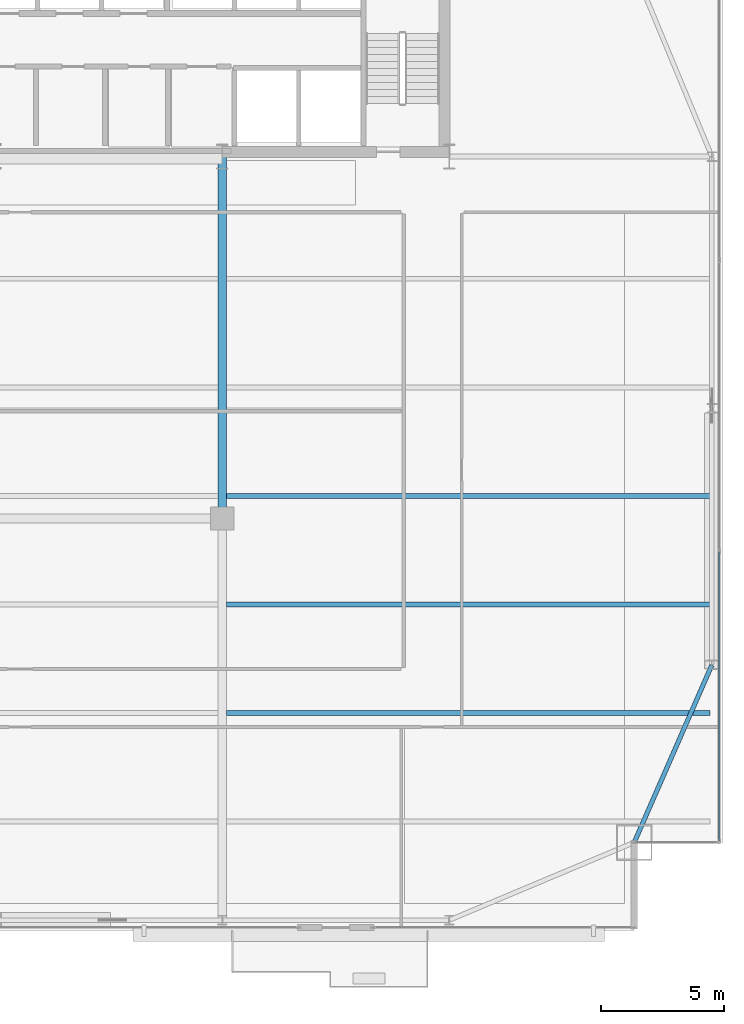
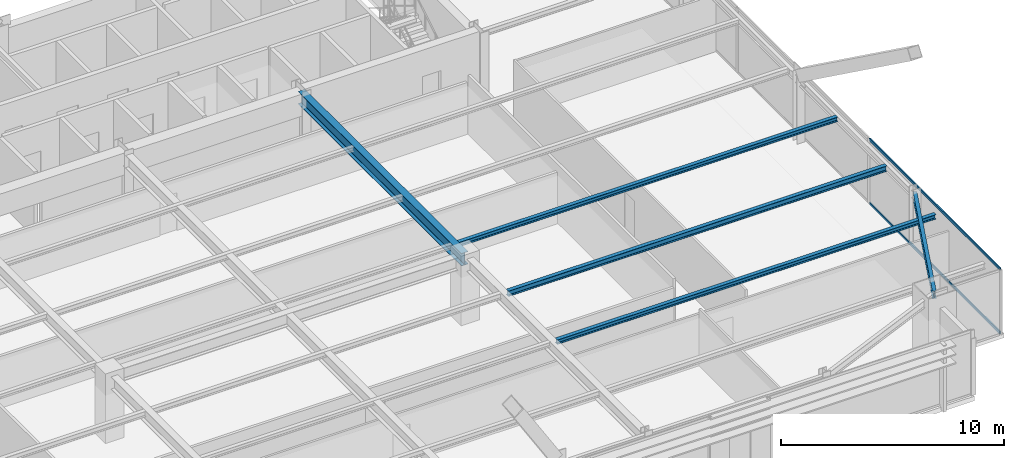
# One storey, part 17 of 37: 5 beams, 2 members, 1 element without a shape of its own.
"""IFC4 building model written with IfcOpenShell, lengths in metres."""

import ifcopenshell
import ifcopenshell.guid

model = None  # the IFC model being written
_history = None  # IfcOwnerHistory: only IFC2X3 demands one
_inside = {}  # id of a spatial element -> (the spatial element, [elements in it])
_under = {}  # id of a project, library or spatial element -> (it, [spatial elements below it])
_declared = {}  # id of a project -> (the project, [libraries it declares])
_typed = {}  # id of a type object -> (the type object, [elements of that type])
_made_of = {}  # id of a material, layer set ... -> (it, [elements and type objects made of it])


def new_model(schema):
    """Start an empty IFC model of exactly this schema.

    Asked for "IFC4X3", IfcOpenShell would pick the latest addendum, in which some entities
    have other attributes; the version numbers below select the first issue.
    IFC2X3 requires an IfcOwnerHistory on every rooted entity: one is made here for all.
    """
    global model, _history
    if schema == "IFC4X3":
        model = ifcopenshell.file(schema_version=(4, 3, 0, 0))
    else:
        model = ifcopenshell.file(schema=schema)
    _inside.clear()
    _under.clear()
    _declared.clear()
    _typed.clear()
    _made_of.clear()
    _history = None
    if model.schema == "IFC2X3":
        org = make("IfcOrganization", Name="unknown")
        user = make(
            "IfcPersonAndOrganization",
            ThePerson=make("IfcPerson", FamilyName="unknown"),
            TheOrganization=org,
        )
        app = make(
            "IfcApplication",
            ApplicationDeveloper=org,
            Version="unknown",
            ApplicationFullName="unknown",
            ApplicationIdentifier="unknown",
        )
        _history = make(
            "IfcOwnerHistory",
            OwningUser=user,
            OwningApplication=app,
            ChangeAction="ADDED",
            CreationDate=0,
        )
    return model


def make(cls, **values):
    """One entity of the class cls with the attributes given. An attribute that is None is left unset."""
    return model.create_entity(
        cls, **{name: value for name, value in values.items() if value is not None}
    )


def rooted(cls, **values):
    """An entity with a GlobalId (a new one), such as an element, a storey or a relation."""
    return make(cls, GlobalId=ifcopenshell.guid.new(), OwnerHistory=_history, **values)


def si_unit(unit_type, name, prefix=None):
    """IfcSIUnit, for example si_unit("LENGTHUNIT", "METRE", prefix="MILLI")."""
    return make("IfcSIUnit", UnitType=unit_type, Prefix=prefix, Name=name)


def assignment(units):
    """IfcUnitAssignment: the units of a project."""
    return None if units is None else make("IfcUnitAssignment", Units=units)


def point(xyz):
    """IfcCartesianPoint."""
    return None if xyz is None else make("IfcCartesianPoint", Coordinates=xyz)


def direction(xyz):
    """IfcDirection."""
    return None if xyz is None else make("IfcDirection", DirectionRatios=xyz)


def frame(location, z_axis=None, x_axis=None):
    """IfcAxis2Placement3D, a coordinate frame: its origin and axes. An axis left out is left unset."""
    return make(
        "IfcAxis2Placement3D",
        Location=point(location),
        Axis=direction(z_axis),
        RefDirection=direction(x_axis),
    )


def frame_2d(location, x_axis=None):
    """IfcAxis2Placement2D, a coordinate frame in the plane: its origin and x axis."""
    return make(
        "IfcAxis2Placement2D", Location=point(location), RefDirection=direction(x_axis)
    )


def origin():
    """The frame at (0, 0, 0) with its axes left unset."""
    return frame((0.0, 0.0, 0.0))


def origin_2d():
    """The frame at (0, 0) in the plane with its x axis left unset."""
    return frame_2d((0.0, 0.0))


def place(relative_to, where):
    """IfcLocalPlacement: puts the frame where relative to a parent placement (None: the world)."""
    return make(
        "IfcLocalPlacement", PlacementRelTo=relative_to, RelativePlacement=where
    )


def context(
    kind, dimensions, precision=None, world=None, true_north=None, identifier=None
):
    """IfcGeometricRepresentationContext, for example the 3D "Model" context."""
    return make(
        "IfcGeometricRepresentationContext",
        ContextIdentifier=identifier,
        ContextType=kind,
        CoordinateSpaceDimension=dimensions,
        Precision=precision,
        WorldCoordinateSystem=world,
        TrueNorth=true_north,
    )


def subcontext(parent, identifier, kind, view, scale=None):
    """IfcGeometricRepresentationSubContext, for example "Body" below "Model"."""
    return make(
        "IfcGeometricRepresentationSubContext",
        ContextIdentifier=identifier,
        ContextType=kind,
        ParentContext=parent,
        TargetScale=scale,
        TargetView=view,
    )


def project(units=None, contexts=None):
    """IfcProject with its units and contexts."""
    return rooted(
        "IfcProject",
        Name="project",
        RepresentationContexts=contexts,
        UnitsInContext=assignment(units),
    )


def spatial(cls, under=None, at=None, **own):
    """A site, building, storey or space (cls), placed at a placement, below another one or the project."""
    s = rooted(cls, ObjectPlacement=at, **own)
    if under is not None:
        _under.setdefault(under.id(), (under, []))[1].append(s)
    return s


def profile(cls, at=None, kind="AREA", **sizes):
    """A parametric profile (cls). Its sizes go by their IFC names, for example OverallWidth=200.0."""
    return make(cls, ProfileType=kind, Position=at, **sizes)


def hollow_rectangle(**sizes):
    """IfcRectangleHollowProfileDef."""
    return profile("IfcRectangleHollowProfileDef", **sizes)


def i_section(**sizes):
    """IfcIShapeProfileDef."""
    return profile("IfcIShapeProfileDef", **sizes)


def extrude(swept, where, along, depth):
    """IfcExtrudedAreaSolid: the profile swept, set in the frame where, extruded along a direction by depth."""
    return make(
        "IfcExtrudedAreaSolid",
        SweptArea=swept,
        Position=where,
        ExtrudedDirection=direction(along),
        Depth=depth,
    )


def shape(context_of_items, identifier, shape_type, items):
    """IfcShapeRepresentation: the items that make up one representation, for example the "Body"."""
    return make(
        "IfcShapeRepresentation",
        ContextOfItems=context_of_items,
        RepresentationIdentifier=identifier,
        RepresentationType=shape_type,
        Items=items,
    )


def source(mapping_origin, context_of_items, identifier, shape_type, items):
    """IfcRepresentationMap: a shape defined once, which mapped items show again and again."""
    return make(
        "IfcRepresentationMap",
        MappingOrigin=mapping_origin,
        MappedRepresentation=shape(context_of_items, identifier, shape_type, items),
    )


def transform(
    local_origin,
    x_axis=None,
    y_axis=None,
    z_axis=None,
    scale=None,
    scale2=None,
    scale3=None,
    uniform=True,
):
    """IfcCartesianTransformationOperator3D, or its non-uniform kind. x_axis, y_axis, z_axis: its Axis1, 2, 3."""
    if uniform:
        return make(
            "IfcCartesianTransformationOperator3D",
            Axis1=direction(x_axis),
            Axis2=direction(y_axis),
            LocalOrigin=point(local_origin),
            Scale=scale,
            Axis3=direction(z_axis),
        )
    return make(
        "IfcCartesianTransformationOperator3DnonUniform",
        Axis1=direction(x_axis),
        Axis2=direction(y_axis),
        LocalOrigin=point(local_origin),
        Scale=scale,
        Axis3=direction(z_axis),
        Scale2=scale2,
        Scale3=scale3,
    )


def mapped(mapping_source, mapping_target):
    """IfcMappedItem: shows the shape of a source again, moved by a transform."""
    return make(
        "IfcMappedItem", MappingSource=mapping_source, MappingTarget=mapping_target
    )


def material(Name=None, Category=None):
    """IfcMaterial."""
    return make("IfcMaterial", Name=Name, Category=Category)


def layer(
    of_material, thickness, ventilated=None, Name=None, Category=None, Priority=None
):
    """IfcMaterialLayer: one layer of a wall or slab, of a material (None: an air gap)."""
    return make(
        "IfcMaterialLayer",
        Material=of_material,
        LayerThickness=thickness,
        IsVentilated=ventilated,
        Name=Name,
        Category=Category,
        Priority=Priority,
    )


def layer_set(layers, Name=None):
    """IfcMaterialLayerSet."""
    return make("IfcMaterialLayerSet", MaterialLayers=layers, LayerSetName=Name)


def material_profile(
    of_material, cross_section, Name=None, Category=None, Priority=None
):
    """IfcMaterialProfile: a cross section and its material."""
    return make(
        "IfcMaterialProfile",
        Name=Name,
        Material=of_material,
        Profile=cross_section,
        Priority=Priority,
        Category=Category,
    )


def profile_set(profiles, Name=None, composite=None):
    """IfcMaterialProfileSet."""
    return make(
        "IfcMaterialProfileSet",
        Name=Name,
        MaterialProfiles=profiles,
        CompositeProfile=composite,
    )


def made_of(thing, what):
    """Note that an element or type object is made of a material, layer set ...; save() writes the relation."""
    if what is not None:
        _made_of.setdefault(what.id(), (what, []))[1].append(thing)
    return thing


def type_object(cls, material=None, **own):
    """A type object (cls), such as IfcWallType, which elements share."""
    return made_of(rooted(cls, **own), material)


def type_shapes(of_type, sources):
    """Give a type object the sources (RepresentationMaps) that its elements show as mapped items."""
    of_type.RepresentationMaps = sources


def element(
    cls,
    number,
    at=None,
    inside=None,
    cuts=None,
    type_object=None,
    material=None,
    context=None,
    identifier="Body",
    shape_type=None,
    held_by="IfcProductDefinitionShape",
    body=None,
    shapes=None,
    **own,
):
    """One element of the class cls, such as IfcWall. Its Tag is "e" and its number.

    at: its placement. inside: the storey or other place that contains it. cuts: it is an
    opening in that element (IfcRelVoidsElement). A single representation is given by context,
    identifier, shape_type and body (its items); several are given by shapes. held_by: the class
    of the entity that holds the representations. save() writes the other relations.
    """
    e = rooted(cls, Tag="e%d" % number, ObjectPlacement=at, **own)
    if body is not None:
        shapes = [shape(context, identifier, shape_type, body)]
    if shapes is not None:
        e.Representation = make(held_by, Representations=shapes)
    if inside is not None:
        _inside.setdefault(inside.id(), (inside, []))[1].append(e)
    if cuts is not None:
        rooted(
            "IfcRelVoidsElement", RelatingBuildingElement=cuts, RelatedOpeningElement=e
        )
    if type_object is not None:
        _typed.setdefault(type_object.id(), (type_object, []))[1].append(e)
    return made_of(e, material)


def aggregate(whole, parts):
    """IfcRelAggregates: a whole, such as a stair, and the parts it consists of."""
    return rooted("IfcRelAggregates", RelatingObject=whole, RelatedObjects=parts)


def save(model, path):
    """Write the relations noted so far, then the file.

    IfcRelAggregates (storeys below a building ...), IfcRelContainedInSpatialStructure (elements
    in a storey), IfcRelDefinesByType, IfcRelAssociatesMaterial and IfcRelDeclares: one each for
    every whole, place, type object, material and project.
    """
    for whole, parts in _under.values():
        aggregate(whole, parts)
    for where, things in _inside.values():
        rooted(
            "IfcRelContainedInSpatialStructure",
            RelatedElements=things,
            RelatingStructure=where,
        )
    for kind, things in _typed.values():
        rooted("IfcRelDefinesByType", RelatedObjects=things, RelatingType=kind)
    for what, things in _made_of.values():
        rooted("IfcRelAssociatesMaterial", RelatedObjects=things, RelatingMaterial=what)
    for by, libraries in _declared.values():
        rooted("IfcRelDeclares", RelatingContext=by, RelatedDefinitions=libraries)
    model.write(path)


model = new_model("IFC4")

# Units and contexts
model_context = context("Model", 3, precision=1e-05, world=origin(), true_north=direction((0.0, 1.0)))
body_context = subcontext(model_context, "Body", "Model", "MODEL_VIEW")
ifc_project = project(units=[si_unit("LENGTHUNIT", "METRE"), si_unit("AREAUNIT", "SQUARE_METRE"), si_unit("VOLUMEUNIT", "CUBIC_METRE"), si_unit("PLANEANGLEUNIT", "RADIAN"), si_unit("MASSUNIT", "GRAM", prefix="KILO")], contexts=[model_context])

# Site, building, storey
site_placement = place(None, origin())
site = spatial("IfcSite", under=ifc_project, at=site_placement, CompositionType="ELEMENT")
building_placement = place(site_placement, origin())
building = spatial("IfcBuilding", under=site, at=building_placement, Name="Varnel Quay Broadcast Tower", CompositionType="ELEMENT")
storey_placement = place(building_placement, frame((0.0, 0.0, 106.800048828125)))
storey = spatial("IfcBuildingStorey", under=building, at=storey_placement, Name="L25", CompositionType="ELEMENT", Elevation=106.800048828125)

# Beams
ifc_material_1 = material(Name="Structural Steel CSA G40.21 350W", Category="steel")
ifc_material_profile_1 = material_profile(ifc_material_1, i_section(OverallWidth=0.180908203125, OverallDepth=0.4169921875, WebThickness=0.010986328125, FlangeThickness=0.018310546875, FilletRadius=0.011962890625, at=origin_2d()), Name="W410X85")
ifc_profile_set_1 = profile_set([ifc_material_profile_1], Name="Structural Steel CSA G40.21 350W")
beam_type_1 = type_object("IfcBeamType", Name="Beam_W410X85", PredefinedType="SPANDREL", material=ifc_profile_set_1)
shared_shape_1 = source(origin(), body_context, "Body", "SweptSolid", [
    extrude(i_section(OverallWidth=0.180908203125, OverallDepth=0.4169921875, WebThickness=0.010986328125, FlangeThickness=0.018310546875, FilletRadius=0.011962890625, at=origin_2d()), origin(), (0.0, 0.0, 1.0), 7.81884765625),
])
type_shapes(beam_type_1, [shared_shape_1])
beam_1_placement = place(storey_placement, frame((59.907958984375, 7.818359375, 3.341552734375), z_axis=(0.400827023998, 0.916153751743, 0.0), x_axis=(-0.916153751743, 0.400827023998, 0.0)))
element("IfcBeam", 1, at=beam_1_placement, inside=storey, type_object=beam_type_1, Name="L25 East Spandrel MC-SE-TC-E1", PredefinedType="SPANDREL", context=body_context, shape_type="MappedRepresentation", body=[
    mapped(shared_shape_1, transform((0.0, 0.0, 0.0), x_axis=(1.0, 0.0, 0.0), y_axis=(0.0, 1.0, 0.0), z_axis=(0.0, 0.0, 1.0), scale=1.0)),
])
ifc_material_profile_2 = material_profile(ifc_material_1, i_section(OverallWidth=0.35498046875, OverallDepth=0.695068359375, WebThickness=0.015380859375, FlangeThickness=0.02490234375, FilletRadius=0.01806640625, at=origin_2d()), Name="W690X217")
ifc_profile_set_2 = profile_set([ifc_material_profile_2], Name="Structural Steel CSA G40.21 350W")
beam_type_2 = type_object("IfcBeamType", Name="Girder_W690X217", PredefinedType="BEAM", material=ifc_profile_set_2)
shared_shape_2 = source(origin(), body_context, "Body", "SweptSolid", [
    extrude(i_section(OverallWidth=0.35498046875, OverallDepth=0.695068359375, WebThickness=0.015380859375, FlangeThickness=0.02490234375, FilletRadius=0.01806640625, at=origin_2d()), origin(), (0.0, 0.0, 1.0), 14.630126953125),
])
type_shapes(beam_type_2, [shared_shape_2])
beam_2_placement = place(storey_placement, frame((43.199951171875, 20.949951171875, 3.202392578125), z_axis=(0.0, 1.0, 0.0), x_axis=(-1.0, 0.0, 0.0)))
element("IfcBeam", 2, at=beam_2_placement, inside=storey, type_object=beam_type_2, Name="L25 Primary Girder IC-02-CC-S4", PredefinedType="BEAM", context=body_context, shape_type="MappedRepresentation", body=[
    mapped(shared_shape_2, transform((0.0, 0.0, 0.0), x_axis=(1.0, 0.0, 0.0), y_axis=(0.0, 1.0, 0.0), z_axis=(0.0, 0.0, 1.0), scale=1.0)),
])
ifc_material_profile_3 = material_profile(ifc_material_1, i_section(OverallWidth=0.202880859375, OverallDepth=0.302978515625, WebThickness=0.007568359375, FlangeThickness=0.01318359375, FilletRadius=0.011962890625, at=origin_2d()), Name="W310X60")
ifc_profile_set_3 = profile_set([ifc_material_profile_3], Name="Structural Steel CSA G40.21 350W")
beam_type_3 = type_object("IfcBeamType", Name="Beam_W310X60", PredefinedType="JOIST", material=ifc_profile_set_3)
shared_shape_3 = source(origin(), body_context, "Body", "SweptSolid", [
    extrude(i_section(OverallWidth=0.202880859375, OverallDepth=0.302978515625, WebThickness=0.007568359375, FlangeThickness=0.01318359375, FilletRadius=0.011962890625, at=origin_2d()), origin(), (0.0, 0.0, 1.0), 19.592041015625),
])
type_shapes(beam_type_3, [shared_shape_3])
beam_3_placement = place(storey_placement, frame((43.37255859375, 17.449951171875, 3.3984375), z_axis=(1.0, 0.0, 0.0), x_axis=(0.0, 1.0, 0.0)))
element("IfcBeam", 3, at=beam_3_placement, inside=storey, type_object=beam_type_3, Name="L25 East Floor Joist 3", PredefinedType="JOIST", context=body_context, shape_type="MappedRepresentation", body=[
    mapped(shared_shape_3, transform((0.0, 0.0, 0.0), x_axis=(1.0, 0.0, 0.0), y_axis=(0.0, 1.0, 0.0), z_axis=(0.0, 0.0, 1.0), scale=1.0)),
])
ifc_material_profile_4 = material_profile(ifc_material_1, i_section(OverallWidth=0.201904296875, OverallDepth=0.2470703125, WebThickness=0.00732421875, FlangeThickness=0.010986328125, FilletRadius=0.010986328125, at=origin_2d()), Name="W250X49")
ifc_profile_set_4 = profile_set([ifc_material_profile_4], Name="Structural Steel CSA G40.21 350W")
beam_type_4 = type_object("IfcBeamType", Name="Beam_W250X49", PredefinedType="JOIST", material=ifc_profile_set_4)
shared_shape_4 = source(origin(), body_context, "Body", "SweptSolid", [
    extrude(i_section(OverallWidth=0.201904296875, OverallDepth=0.2470703125, WebThickness=0.00732421875, FlangeThickness=0.010986328125, FilletRadius=0.010986328125, at=origin_2d()), origin(), (0.0, 0.0, 1.0), 19.592041015625),
])
type_shapes(beam_type_4, [shared_shape_4])
for number, where, z_axis, x_axis, name in (
    (4, (43.37255859375, 13.050048828125, 3.426513671875), (1.0, 0.0, 0.0), (0.0, 1.0, 0.0), "L25 East Floor Joist 2"),
    (5, (43.37255859375, 21.85009765625, 3.426513671875), (1.0, 0.0, 0.0), (0.0, 1.0, 0.0), "L25 East Floor Joist 4"),
):
    element("IfcBeam", number, at=place(storey_placement, frame(where, z_axis=z_axis, x_axis=x_axis)), inside=storey, type_object=beam_type_4, Name=name, PredefinedType="JOIST", context=body_context, shape_type="MappedRepresentation", body=[
        mapped(shared_shape_4, transform((0.0, 0.0, 0.0), x_axis=(1.0, 0.0, 0.0), y_axis=(0.0, 1.0, 0.0), z_axis=(0.0, 0.0, 1.0), scale=1.0)),
    ])

# Curtain wall, members
ifc_material_2 = material(Name="Anodised Bronze Aluminium 6063-T6", Category="aluminium")
ifc_layer = layer(ifc_material_2, 0.18994140625, Name="Anodised Bronze Aluminium 6063-T6")
ifc_layer_set = layer_set([ifc_layer], Name="Anodised Bronze Aluminium 6063-T6")
curtain_wall_type = type_object("IfcCurtainWallType", Name="CW_LowerTower", PredefinedType="NOTDEFINED", material=ifc_layer_set)
curtain_wall_placement = place(storey_placement, origin())
curtain_wall = element("IfcCurtainWall", 6, at=curtain_wall_placement, inside=storey, type_object=curtain_wall_type, Name="L25 East Unitised Curtain Wall", PredefinedType="NOTDEFINED")
ifc_material_profile_5 = material_profile(ifc_material_2, hollow_rectangle(XDim=0.06005859375, YDim=0.14501953125, WallThickness=0.00341796875, at=origin_2d()), Name="ALU60X145X3.5")
ifc_profile_set_5 = profile_set([ifc_material_profile_5], Name="Anodised Bronze Aluminium 6063-T6")
member_type = type_object("IfcMemberType", Name="Tran_CWS-02", PredefinedType="USERDEFINED", material=ifc_profile_set_5)
shared_shape_5 = source(origin(), body_context, "Body", "SweptSolid", [
    extrude(hollow_rectangle(XDim=0.06005859375, YDim=0.14501953125, WallThickness=0.00341796875, at=origin_2d()), origin(), (0.0, 0.0, 1.0), 11.69482421875),
])
type_shapes(member_type, [shared_shape_5])
member_1_placement = place(storey_placement, frame((63.35009765625, 7.8701171875, 0.030029296875), z_axis=(0.0, 1.0, 0.0), x_axis=(-1.0, 0.0, 0.0)))
member_1 = element("IfcMember", 7, at=member_1_placement, type_object=member_type, Name="CWS-02 transom 1.1", ObjectType="TRANSOM", PredefinedType="USERDEFINED", context=body_context, shape_type="MappedRepresentation", body=[
    mapped(shared_shape_5, transform((0.0, 0.0, 0.0), x_axis=(1.0, 0.0, 0.0), y_axis=(0.0, 1.0, 0.0), z_axis=(0.0, 0.0, 1.0), scale=1.0)),
])
member_2_placement = place(storey_placement, frame((63.35009765625, 7.8701171875, 3.52001953125), z_axis=(0.0, 1.0, 0.0), x_axis=(-1.0, 0.0, 0.0)))
member_2 = element("IfcMember", 8, at=member_2_placement, type_object=member_type, Name="CWS-02 transom 1.2", ObjectType="TRANSOM", PredefinedType="USERDEFINED", context=body_context, shape_type="MappedRepresentation", body=[
    mapped(shared_shape_5, transform((0.0, 0.0, 0.0), x_axis=(1.0, 0.0, 0.0), y_axis=(0.0, 1.0, 0.0), z_axis=(0.0, 0.0, 1.0), scale=1.0)),
])
aggregate(curtain_wall, [member_1, member_2])

save(model, "model.ifc")
